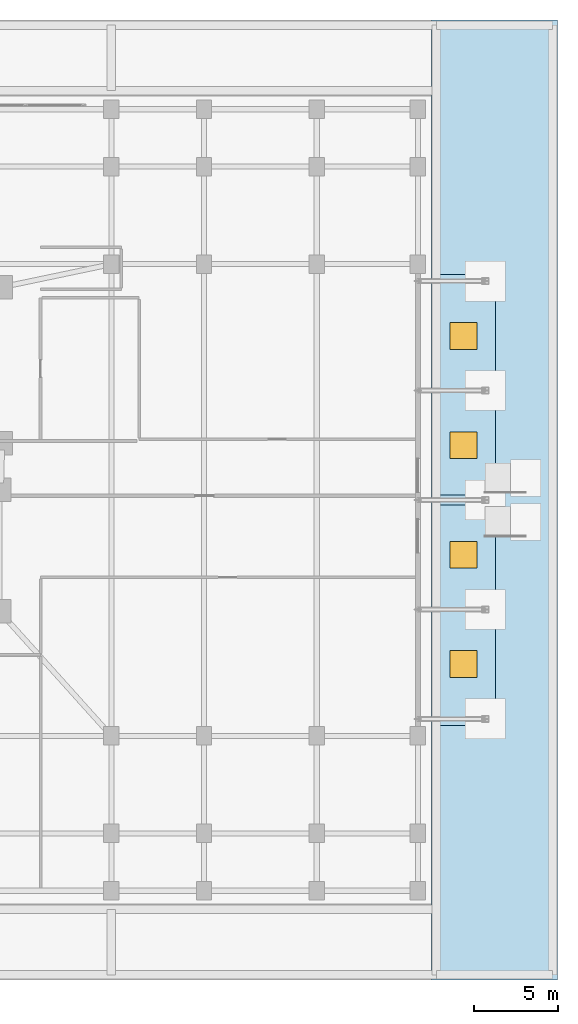
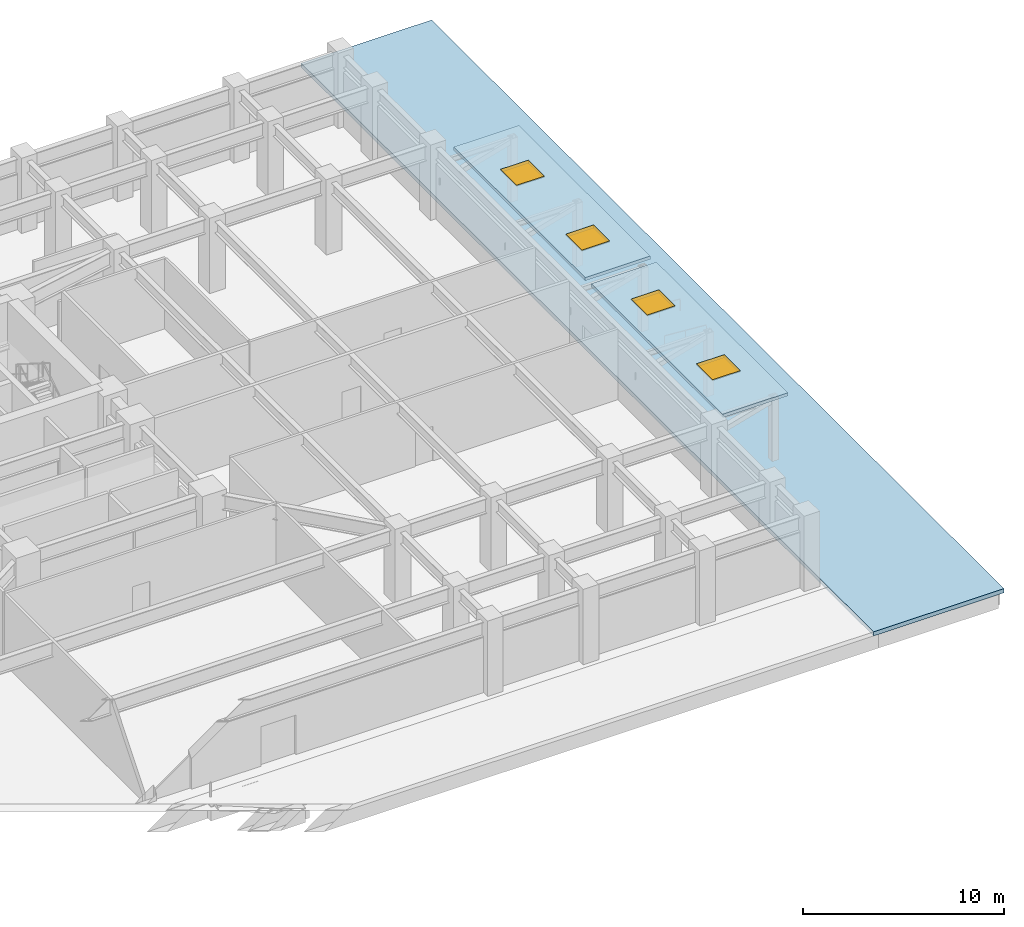
# One storey, part 13 of 23: 4 windows, 3 slabs, 4 openings.
"""IFC4 building model written with IfcOpenShell, lengths in metres."""

import ifcopenshell
import ifcopenshell.guid

model = None  # the IFC model being written
_history = None  # IfcOwnerHistory: only IFC2X3 demands one
_inside = {}  # id of a spatial element -> (the spatial element, [elements in it])
_under = {}  # id of a project, library or spatial element -> (it, [spatial elements below it])
_declared = {}  # id of a project -> (the project, [libraries it declares])
_typed = {}  # id of a type object -> (the type object, [elements of that type])
_made_of = {}  # id of a material, layer set ... -> (it, [elements and type objects made of it])


def new_model(schema):
    """Start an empty IFC model of exactly this schema.

    Asked for "IFC4X3", IfcOpenShell would pick the latest addendum, in which some entities
    have other attributes; the version numbers below select the first issue.
    IFC2X3 requires an IfcOwnerHistory on every rooted entity: one is made here for all.
    """
    global model, _history
    if schema == "IFC4X3":
        model = ifcopenshell.file(schema_version=(4, 3, 0, 0))
    else:
        model = ifcopenshell.file(schema=schema)
    _inside.clear()
    _under.clear()
    _declared.clear()
    _typed.clear()
    _made_of.clear()
    _history = None
    if model.schema == "IFC2X3":
        org = make("IfcOrganization", Name="unknown")
        user = make(
            "IfcPersonAndOrganization",
            ThePerson=make("IfcPerson", FamilyName="unknown"),
            TheOrganization=org,
        )
        app = make(
            "IfcApplication",
            ApplicationDeveloper=org,
            Version="unknown",
            ApplicationFullName="unknown",
            ApplicationIdentifier="unknown",
        )
        _history = make(
            "IfcOwnerHistory",
            OwningUser=user,
            OwningApplication=app,
            ChangeAction="ADDED",
            CreationDate=0,
        )
    return model


def make(cls, **values):
    """One entity of the class cls with the attributes given. An attribute that is None is left unset."""
    return model.create_entity(
        cls, **{name: value for name, value in values.items() if value is not None}
    )


def rooted(cls, **values):
    """An entity with a GlobalId (a new one), such as an element, a storey or a relation."""
    return make(cls, GlobalId=ifcopenshell.guid.new(), OwnerHistory=_history, **values)


def si_unit(unit_type, name, prefix=None):
    """IfcSIUnit, for example si_unit("LENGTHUNIT", "METRE", prefix="MILLI")."""
    return make("IfcSIUnit", UnitType=unit_type, Prefix=prefix, Name=name)


def assignment(units):
    """IfcUnitAssignment: the units of a project."""
    return None if units is None else make("IfcUnitAssignment", Units=units)


def point(xyz):
    """IfcCartesianPoint."""
    return None if xyz is None else make("IfcCartesianPoint", Coordinates=xyz)


def direction(xyz):
    """IfcDirection."""
    return None if xyz is None else make("IfcDirection", DirectionRatios=xyz)


def frame(location, z_axis=None, x_axis=None):
    """IfcAxis2Placement3D, a coordinate frame: its origin and axes. An axis left out is left unset."""
    return make(
        "IfcAxis2Placement3D",
        Location=point(location),
        Axis=direction(z_axis),
        RefDirection=direction(x_axis),
    )


def frame_2d(location, x_axis=None):
    """IfcAxis2Placement2D, a coordinate frame in the plane: its origin and x axis."""
    return make(
        "IfcAxis2Placement2D", Location=point(location), RefDirection=direction(x_axis)
    )


def origin():
    """The frame at (0, 0, 0) with its axes left unset."""
    return frame((0.0, 0.0, 0.0))


def origin_2d():
    """The frame at (0, 0) in the plane with its x axis left unset."""
    return frame_2d((0.0, 0.0))


def place(relative_to, where):
    """IfcLocalPlacement: puts the frame where relative to a parent placement (None: the world)."""
    return make(
        "IfcLocalPlacement", PlacementRelTo=relative_to, RelativePlacement=where
    )


def context(
    kind, dimensions, precision=None, world=None, true_north=None, identifier=None
):
    """IfcGeometricRepresentationContext, for example the 3D "Model" context."""
    return make(
        "IfcGeometricRepresentationContext",
        ContextIdentifier=identifier,
        ContextType=kind,
        CoordinateSpaceDimension=dimensions,
        Precision=precision,
        WorldCoordinateSystem=world,
        TrueNorth=true_north,
    )


def subcontext(parent, identifier, kind, view, scale=None):
    """IfcGeometricRepresentationSubContext, for example "Body" below "Model"."""
    return make(
        "IfcGeometricRepresentationSubContext",
        ContextIdentifier=identifier,
        ContextType=kind,
        ParentContext=parent,
        TargetScale=scale,
        TargetView=view,
    )


def project(units=None, contexts=None):
    """IfcProject with its units and contexts."""
    return rooted(
        "IfcProject",
        Name="project",
        RepresentationContexts=contexts,
        UnitsInContext=assignment(units),
    )


def spatial(cls, under=None, at=None, **own):
    """A site, building, storey or space (cls), placed at a placement, below another one or the project."""
    s = rooted(cls, ObjectPlacement=at, **own)
    if under is not None:
        _under.setdefault(under.id(), (under, []))[1].append(s)
    return s


def polyline(points):
    """IfcPolyline through the points."""
    return make("IfcPolyline", Points=[point(p) for p in points])


def profile(cls, at=None, kind="AREA", **sizes):
    """A parametric profile (cls). Its sizes go by their IFC names, for example OverallWidth=200.0."""
    return make(cls, ProfileType=kind, Position=at, **sizes)


def rectangle(**sizes):
    """IfcRectangleProfileDef."""
    return profile("IfcRectangleProfileDef", **sizes)


def outline(outer, holes=None, kind="AREA"):
    """IfcArbitraryClosedProfileDef: a profile drawn as a closed curve; with holes, ...WithVoids."""
    if holes is None:
        return make("IfcArbitraryClosedProfileDef", ProfileType=kind, OuterCurve=outer)
    return make(
        "IfcArbitraryProfileDefWithVoids",
        ProfileType=kind,
        OuterCurve=outer,
        InnerCurves=holes,
    )


def extrude(swept, where, along, depth):
    """IfcExtrudedAreaSolid: the profile swept, set in the frame where, extruded along a direction by depth."""
    return make(
        "IfcExtrudedAreaSolid",
        SweptArea=swept,
        Position=where,
        ExtrudedDirection=direction(along),
        Depth=depth,
    )


def shape(context_of_items, identifier, shape_type, items):
    """IfcShapeRepresentation: the items that make up one representation, for example the "Body"."""
    return make(
        "IfcShapeRepresentation",
        ContextOfItems=context_of_items,
        RepresentationIdentifier=identifier,
        RepresentationType=shape_type,
        Items=items,
    )


def material(Name=None, Category=None):
    """IfcMaterial."""
    return make("IfcMaterial", Name=Name, Category=Category)


def layer(
    of_material, thickness, ventilated=None, Name=None, Category=None, Priority=None
):
    """IfcMaterialLayer: one layer of a wall or slab, of a material (None: an air gap)."""
    return make(
        "IfcMaterialLayer",
        Material=of_material,
        LayerThickness=thickness,
        IsVentilated=ventilated,
        Name=Name,
        Category=Category,
        Priority=Priority,
    )


def layer_set(layers, Name=None):
    """IfcMaterialLayerSet."""
    return make("IfcMaterialLayerSet", MaterialLayers=layers, LayerSetName=Name)


def made_of(thing, what):
    """Note that an element or type object is made of a material, layer set ...; save() writes the relation."""
    if what is not None:
        _made_of.setdefault(what.id(), (what, []))[1].append(thing)
    return thing


def type_object(cls, material=None, **own):
    """A type object (cls), such as IfcWallType, which elements share."""
    return made_of(rooted(cls, **own), material)


def element(
    cls,
    number,
    at=None,
    inside=None,
    cuts=None,
    type_object=None,
    material=None,
    context=None,
    identifier="Body",
    shape_type=None,
    held_by="IfcProductDefinitionShape",
    body=None,
    shapes=None,
    **own,
):
    """One element of the class cls, such as IfcWall. Its Tag is "e" and its number.

    at: its placement. inside: the storey or other place that contains it. cuts: it is an
    opening in that element (IfcRelVoidsElement). A single representation is given by context,
    identifier, shape_type and body (its items); several are given by shapes. held_by: the class
    of the entity that holds the representations. save() writes the other relations.
    """
    e = rooted(cls, Tag="e%d" % number, ObjectPlacement=at, **own)
    if body is not None:
        shapes = [shape(context, identifier, shape_type, body)]
    if shapes is not None:
        e.Representation = make(held_by, Representations=shapes)
    if inside is not None:
        _inside.setdefault(inside.id(), (inside, []))[1].append(e)
    if cuts is not None:
        rooted(
            "IfcRelVoidsElement", RelatingBuildingElement=cuts, RelatedOpeningElement=e
        )
    if type_object is not None:
        _typed.setdefault(type_object.id(), (type_object, []))[1].append(e)
    return made_of(e, material)


def fill(opening, filler):
    """IfcRelFillsElement: the door or window that sits in an opening."""
    return rooted(
        "IfcRelFillsElement",
        RelatingOpeningElement=opening,
        RelatedBuildingElement=filler,
    )


def aggregate(whole, parts):
    """IfcRelAggregates: a whole, such as a stair, and the parts it consists of."""
    return rooted("IfcRelAggregates", RelatingObject=whole, RelatedObjects=parts)


def save(model, path):
    """Write the relations noted so far, then the file.

    IfcRelAggregates (storeys below a building ...), IfcRelContainedInSpatialStructure (elements
    in a storey), IfcRelDefinesByType, IfcRelAssociatesMaterial and IfcRelDeclares: one each for
    every whole, place, type object, material and project.
    """
    for whole, parts in _under.values():
        aggregate(whole, parts)
    for where, things in _inside.values():
        rooted(
            "IfcRelContainedInSpatialStructure",
            RelatedElements=things,
            RelatingStructure=where,
        )
    for kind, things in _typed.values():
        rooted("IfcRelDefinesByType", RelatedObjects=things, RelatingType=kind)
    for what, things in _made_of.values():
        rooted("IfcRelAssociatesMaterial", RelatedObjects=things, RelatingMaterial=what)
    for by, libraries in _declared.values():
        rooted("IfcRelDeclares", RelatingContext=by, RelatedDefinitions=libraries)
    model.write(path)


model = new_model("IFC4")

# Units and contexts
model_context = context("Model", 3, precision=1e-05, world=origin(), true_north=direction((0.0, 1.0)))
body_context = subcontext(model_context, "Body", "Model", "MODEL_VIEW")
ifc_project = project(units=[si_unit("LENGTHUNIT", "METRE"), si_unit("AREAUNIT", "SQUARE_METRE"), si_unit("VOLUMEUNIT", "CUBIC_METRE"), si_unit("PLANEANGLEUNIT", "RADIAN"), si_unit("MASSUNIT", "GRAM", prefix="KILO")], contexts=[model_context])

# Site, building, storey
site_placement = place(None, origin())
site = spatial("IfcSite", under=ifc_project, at=site_placement, CompositionType="ELEMENT")
building_placement = place(site_placement, origin())
building = spatial("IfcBuilding", under=site, at=building_placement, Name="Varnakorn Sky Granary", CompositionType="ELEMENT")
storey_placement = place(building_placement, origin())
storey = spatial("IfcBuildingStorey", under=building, at=storey_placement, Name="L00", CompositionType="ELEMENT", Elevation=0.0)

# Slab, openings, windows
ifc_material_1 = material(Name="Concrete C50/60", Category="concrete")
ifc_layer_1 = layer(ifc_material_1, 0.199951171875, Name="Concrete C50/60")
ifc_layer_set_1 = layer_set([ifc_layer_1], Name="Concrete C50/60")
slab_type_1 = type_object("IfcSlabType", Name="ST-SL-CAN-200", PredefinedType="ROOF", material=ifc_layer_set_1)
slab_1_placement = place(storey_placement, frame((0.0, 0.0, 3.85009765625)))
slab_1 = element("IfcSlab", 1, at=slab_1_placement, inside=storey, type_object=slab_type_1, Name="Entrance Canopy Roof Slab 2-1", PredefinedType="ROOF", context=body_context, shape_type="SweptSolid", body=[
    extrude(outline(polyline([(34.050048828125, -13.39990234375), (37.800048828125, -13.39990234375), (37.800048828125, -0.300048828125), (34.050048828125, -0.300048828125), (34.050048828125, -13.39990234375)])), origin(), (0.0, 0.0, 1.0), 0.199951171875),
])
opening_1_placement = place(slab_1_placement, frame((35.89990234375, -9.75, 0.0)))
opening_1 = element("IfcOpeningElement", 2, at=opening_1_placement, cuts=slab_1, Name="Opening SK-01", PredefinedType="OPENING", context=body_context, shape_type="SweptSolid", body=[
    extrude(rectangle(XDim=1.60009765625, YDim=1.60009765625, at=origin_2d()), frame((0.0, 0.0, -0.010009765625)), (0.0, 0.0, 1.0), 0.219970703125),
])
opening_2_placement = place(slab_1_placement, frame((35.89990234375, -3.25, 0.0)))
opening_2 = element("IfcOpeningElement", 3, at=opening_2_placement, cuts=slab_1, Name="Opening SK-01", PredefinedType="OPENING", context=body_context, shape_type="SweptSolid", body=[
    extrude(rectangle(XDim=1.60009765625, YDim=1.60009765625, at=origin_2d()), frame((0.0, 0.0, -0.010009765625)), (0.0, 0.0, 1.0), 0.219970703125),
])
ifc_material_2 = material(Name="Low-E Tinted Laminated Glass", Category="glass")
window_type = type_object("IfcWindowType", Name="SK-CAN-2200", PartitioningType="SINGLE_PANEL", PredefinedType="SKYLIGHT", material=ifc_material_2)
window_1_placement = place(opening_1_placement, frame((0.0, 0.0, 0.14990234375)))
window_1 = element("IfcWindow", 4, at=window_1_placement, inside=storey, type_object=window_type, Name="Entrance Canopy Glazed Skylight 2-1", OverallHeight=1.60009765625, OverallWidth=1.60009765625, PartitioningType="SINGLE_PANEL", PredefinedType="SKYLIGHT", context=body_context, shape_type="SweptSolid", body=[
    extrude(rectangle(XDim=1.60009765625, YDim=1.60009765625, at=origin_2d()), origin(), (0.0, 0.0, 1.0), 0.050048828125),
])
fill(opening_1, window_1)
window_2_placement = place(opening_2_placement, frame((0.0, 0.0, 0.14990234375)))
window_2 = element("IfcWindow", 5, at=window_2_placement, inside=storey, type_object=window_type, Name="Entrance Canopy Glazed Skylight 2-2", OverallHeight=1.60009765625, OverallWidth=1.60009765625, PartitioningType="SINGLE_PANEL", PredefinedType="SKYLIGHT", context=body_context, shape_type="SweptSolid", body=[
    extrude(rectangle(XDim=1.60009765625, YDim=1.60009765625, at=origin_2d()), origin(), (0.0, 0.0, 1.0), 0.050048828125),
])
fill(opening_2, window_2)

slab_2_placement = place(storey_placement, frame((0.0, 0.0, 3.85009765625)))
slab_2 = element("IfcSlab", 6, at=slab_2_placement, inside=storey, type_object=slab_type_1, Name="Entrance Canopy Roof Slab 2-2", PredefinedType="ROOF", context=body_context, shape_type="SweptSolid", body=[
    extrude(outline(polyline([(34.050048828125, 0.300048828125), (37.800048828125, 0.300048828125), (37.800048828125, 13.39990234375), (34.050048828125, 13.39990234375), (34.050048828125, 0.300048828125)])), origin(), (0.0, 0.0, 1.0), 0.199951171875),
])
opening_3_placement = place(slab_2_placement, frame((35.89990234375, 3.25, 0.0)))
opening_3 = element("IfcOpeningElement", 7, at=opening_3_placement, cuts=slab_2, Name="Opening SK-01", PredefinedType="OPENING", context=body_context, shape_type="SweptSolid", body=[
    extrude(rectangle(XDim=1.60009765625, YDim=1.60009765625, at=origin_2d()), frame((0.0, 0.0, -0.010009765625)), (0.0, 0.0, 1.0), 0.219970703125),
])
opening_4_placement = place(slab_2_placement, frame((35.89990234375, 9.75, 0.0)))
opening_4 = element("IfcOpeningElement", 8, at=opening_4_placement, cuts=slab_2, Name="Opening SK-01", PredefinedType="OPENING", context=body_context, shape_type="SweptSolid", body=[
    extrude(rectangle(XDim=1.60009765625, YDim=1.60009765625, at=origin_2d()), frame((0.0, 0.0, -0.010009765625)), (0.0, 0.0, 1.0), 0.219970703125),
])
window_3_placement = place(opening_3_placement, frame((0.0, 0.0, 0.14990234375)))
window_3 = element("IfcWindow", 9, at=window_3_placement, inside=storey, type_object=window_type, Name="Entrance Canopy Glazed Skylight 2-3", OverallHeight=1.60009765625, OverallWidth=1.60009765625, PartitioningType="SINGLE_PANEL", PredefinedType="SKYLIGHT", context=body_context, shape_type="SweptSolid", body=[
    extrude(rectangle(XDim=1.60009765625, YDim=1.60009765625, at=origin_2d()), origin(), (0.0, 0.0, 1.0), 0.050048828125),
])
fill(opening_3, window_3)
window_4_placement = place(opening_4_placement, frame((0.0, 0.0, 0.14990234375)))
window_4 = element("IfcWindow", 10, at=window_4_placement, inside=storey, type_object=window_type, Name="Entrance Canopy Glazed Skylight 2-4", OverallHeight=1.60009765625, OverallWidth=1.60009765625, PartitioningType="SINGLE_PANEL", PredefinedType="SKYLIGHT", context=body_context, shape_type="SweptSolid", body=[
    extrude(rectangle(XDim=1.60009765625, YDim=1.60009765625, at=origin_2d()), origin(), (0.0, 0.0, 1.0), 0.050048828125),
])
fill(opening_4, window_4)

# Slab
ifc_layer_2 = layer(ifc_material_1, 0.25, Name="Concrete C50/60")
ifc_layer_set_2 = layer_set([ifc_layer_2], Name="Concrete C50/60")
slab_type_2 = type_object("IfcSlabType", Name="ST-SL-PLAZA-250", PredefinedType="BASESLAB", material=ifc_layer_set_2)
slab_3_placement = place(storey_placement, frame((0.0, 0.0, -0.25)))
element("IfcSlab", 11, at=slab_3_placement, inside=storey, type_object=slab_type_2, Name="Street Plaza Paving Apron 2", PredefinedType="BASESLAB", context=body_context, shape_type="SweptSolid", body=[
    extrude(outline(polyline([(34.0, -28.5), (41.5, -28.5), (41.5, 28.5), (34.0, 28.5), (34.0, -28.5)])), origin(), (0.0, 0.0, 1.0), 0.25),
])

save(model, "model.ifc")
